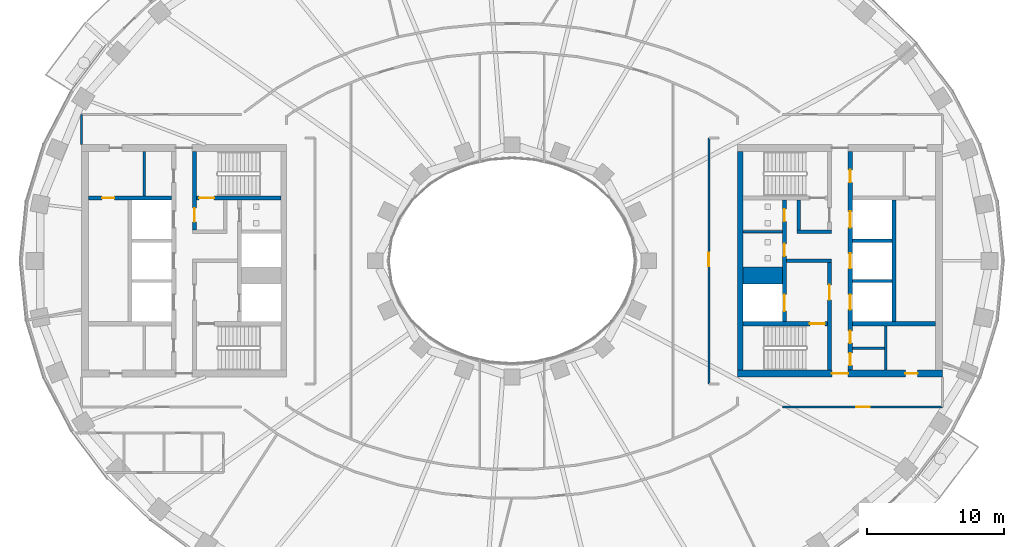
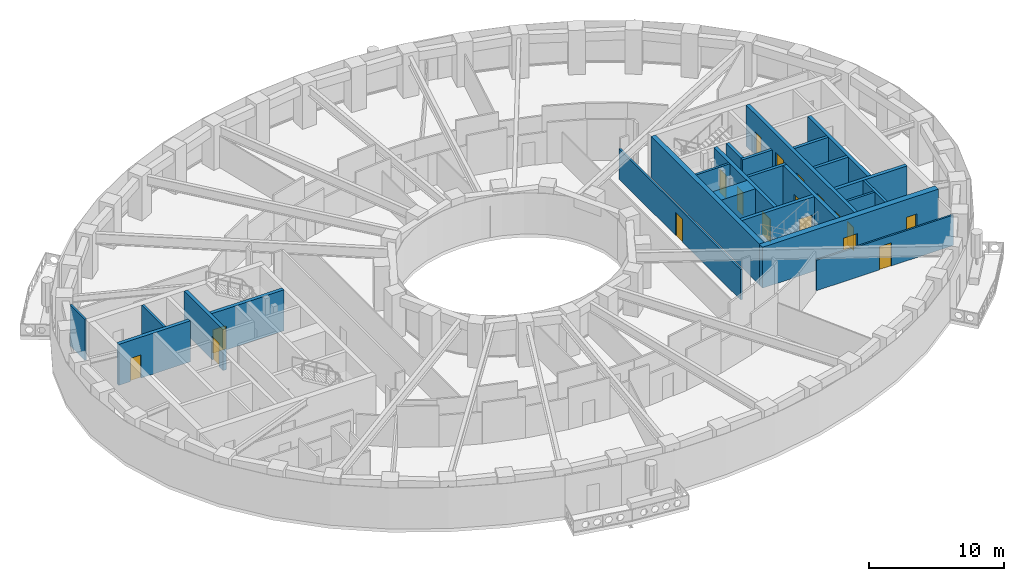
# One storey, part 5 of 16: 24 walls, 18 doors, 18 openings.
"""IFC4 building model written with IfcOpenShell, lengths in metres."""

from ifc_helpers import new_model, si_unit, direction, frame, frame_2d, origin, place, context, subcontext, project, spatial, rectangle, extrude, material, layer, layer_set, type_object, element, fill, save


model = new_model("IFC4")

# Units and contexts
model_context = context("Model", 3, precision=1e-05, world=origin(), true_north=direction((0.0, 1.0)))
body_context = subcontext(model_context, "Body", "Model", "MODEL_VIEW")
ifc_project = project(units=[si_unit("LENGTHUNIT", "METRE"), si_unit("AREAUNIT", "SQUARE_METRE"), si_unit("VOLUMEUNIT", "CUBIC_METRE"), si_unit("PLANEANGLEUNIT", "RADIAN"), si_unit("MASSUNIT", "GRAM", prefix="KILO")], contexts=[model_context])

# Site, building, storey
site_placement = place(None, origin())
site = spatial("IfcSite", under=ifc_project, at=site_placement, CompositionType="ELEMENT")
building_placement = place(site_placement, origin())
building = spatial("IfcBuilding", under=site, at=building_placement, Name="Noorbagh Ring Tower", CompositionType="ELEMENT")
storey_placement = place(building_placement, frame((0.0, 0.0, 136.0)))
storey = spatial("IfcBuildingStorey", under=building, at=storey_placement, Name="L31", CompositionType="ELEMENT", Elevation=136.0)

# Walls
ifc_material_1 = material(Name="Gypsum board on steel studs", Category="steel")
ifc_layer_1 = layer(ifc_material_1, 0.199951171875)
ifc_layer_set_1 = layer_set([ifc_layer_1], Name="Gypsum board on steel studs")
wall_type_1 = type_object("IfcWallType", Name="CORE-PARTITION-200", PredefinedType="PARTITIONING", material=ifc_layer_set_1)
wall_1_placement = place(storey_placement, frame((-26.89990234375, 4.75, 0.0), z_axis=(0.0, 0.0, 1.0), x_axis=(0.0, 1.0, 0.0)))
element("IfcWall", 1, at=wall_1_placement, inside=storey, type_object=wall_type_1, Name="Core partition W", PredefinedType="PARTITIONING", context=body_context, shape_type="SweptSolid", body=[
    extrude(rectangle(XDim=3.25, YDim=0.199951171875, at=frame_2d((1.625, 0.0))), origin(), (0.0, 0.0, 1.0), 3.699951171875),
])
wall_2_placement = place(storey_placement, frame((16.89990234375, 2.125, 0.0), z_axis=(0.0, 0.0, 1.0), x_axis=(1.0, 0.0, 0.0)))
element("IfcWall", 2, at=wall_2_placement, inside=storey, type_object=wall_type_1, Name="Core partition E", PredefinedType="PARTITIONING", context=body_context, shape_type="SweptSolid", body=[
    extrude(rectangle(XDim=2.900146484375, YDim=0.199951171875, at=frame_2d((1.4501953125, 0.0))), origin(), (0.0, 0.0, 1.0), 3.699951171875),
])
wall_3_placement = place(storey_placement, frame((27.35009765625, -8.0, 0.0), z_axis=(0.0, 0.0, 1.0), x_axis=(0.0, 1.0, 0.0)))
element("IfcWall", 3, at=wall_3_placement, inside=storey, type_object=wall_type_1, Name="Core partition E", PredefinedType="PARTITIONING", context=body_context, shape_type="SweptSolid", body=[
    extrude(rectangle(XDim=3.25, YDim=0.199951171875, at=frame_2d((1.625, 0.0))), origin(), (0.0, 0.0, 1.0), 3.699951171875),
])
wall_4_placement = place(storey_placement, frame((24.89990234375, -6.39990234375, 0.0), z_axis=(0.0, 0.0, 1.0), x_axis=(1.0, 0.0, 0.0)))
element("IfcWall", 4, at=wall_4_placement, inside=storey, type_object=wall_type_1, Name="Core partition E", PredefinedType="PARTITIONING", context=body_context, shape_type="SweptSolid", body=[
    extrude(rectangle(XDim=2.35009765625, YDim=0.199951171875, at=frame_2d((1.175048828125, 0.0))), origin(), (0.0, 0.0, 1.0), 3.699951171875),
])
ifc_material_2 = material(Name="Concrete C70/85", Category="concrete")
ifc_layer_2 = layer(ifc_material_2, 1.25)
ifc_layer_set_2 = layer_set([ifc_layer_2], Name="Concrete C70/85")
wall_type_2 = type_object("IfcWallType", Name="CORE-WALL-1250-C70-85-EI120", PredefinedType="SHEAR", material=ifc_layer_set_2)
wall_5_placement = place(storey_placement, frame((16.89990234375, -1.074951171875, 0.0), z_axis=(0.0, 0.0, 1.0), x_axis=(1.0, 0.0, 0.0)))
element("IfcWall", 5, at=wall_5_placement, inside=storey, type_object=wall_type_2, Name="Core wall E", PredefinedType="SHEAR", context=body_context, shape_type="SweptSolid", body=[
    extrude(rectangle(XDim=2.900146484375, YDim=1.25, at=frame_2d((1.4501953125, 0.0))), origin(), (0.0, 0.0, 1.0), 3.699951171875),
])
ifc_material_3 = material(Name="Concrete C70/85", Category="concrete")
ifc_layer_3 = layer(ifc_material_3, 0.25)
ifc_layer_set_3 = layer_set([ifc_layer_3], Name="Concrete C70/85")
wall_type_3 = type_object("IfcWallType", Name="CORE-WALL-250-C70-85-EI120", PredefinedType="SHEAR", material=ifc_layer_set_3)
for number, where, z_axis, x_axis, name in (
    (6, (24.89990234375, -1.47509765625, 0.0), (0.0, 0.0, 1.0), (1.0, 0.0, 0.0), "Core wall E"),
    (7, (24.89990234375, 1.47509765625, 0.0), (0.0, 0.0, 1.0), (1.0, 0.0, 0.0), "Core wall E"),
):
    element("IfcWall", number, at=place(storey_placement, frame(where, z_axis=z_axis, x_axis=x_axis)), inside=storey, type_object=wall_type_3, Name=name, PredefinedType="SHEAR", context=body_context, shape_type="SweptSolid", body=[
        extrude(rectangle(XDim=2.900146484375, YDim=0.25, at=frame_2d((1.4501953125, 0.0))), origin(), (0.0, 0.0, 1.0), 3.699951171875),
    ])
ifc_material_4 = material(Name="Concrete C70/85", Category="concrete")
ifc_layer_4 = layer(ifc_material_4, 0.25)
ifc_layer_set_4 = layer_set([ifc_layer_4], Name="Concrete C70/85")
wall_type_4 = type_object("IfcWallType", Name="CORE-WALL-250-C70-85-EI240", PredefinedType="SHEAR", material=ifc_layer_set_4)
wall_6_placement = place(storey_placement, frame((20.10009765625, 0.0, 0.0), z_axis=(0.0, 0.0, 1.0), x_axis=(1.0, 0.0, 0.0)))
element("IfcWall", 8, at=wall_6_placement, inside=storey, type_object=wall_type_4, Name="Core wall E", PredefinedType="SHEAR", context=body_context, shape_type="SweptSolid", body=[
    extrude(rectangle(XDim=3.27978515625, YDim=0.25, at=frame_2d((1.639892578125, 0.0))), origin(), (0.0, 0.0, 1.0), 3.699951171875),
])
wall_7_placement = place(storey_placement, frame((20.85009765625, 2.125, 0.0), z_axis=(0.0, 0.0, 1.0), x_axis=(1.0, 0.0, 0.0)))
element("IfcWall", 9, at=wall_7_placement, inside=storey, type_object=wall_type_4, Name="Core wall E", PredefinedType="SHEAR", context=body_context, shape_type="SweptSolid", body=[
    extrude(rectangle(XDim=2.52978515625, YDim=0.25, at=frame_2d((1.264892578125, 0.0))), origin(), (0.0, 0.0, 1.0), 3.699951171875),
])
wall_8_placement = place(storey_placement, frame((20.97509765625, 2.25, 0.0), z_axis=(0.0, 0.0, 1.0), x_axis=(0.0, 1.0, 0.0)))
element("IfcWall", 10, at=wall_8_placement, inside=storey, type_object=wall_type_4, Name="Core wall E", PredefinedType="SHEAR", context=body_context, shape_type="SweptSolid", body=[
    extrude(rectangle(XDim=2.199951171875, YDim=0.25, at=frame_2d((1.10009765625, 0.0))), origin(), (0.0, 0.0, 1.0), 3.699951171875),
])
ifc_material_5 = material(Name="Concrete C70/85", Category="concrete")
ifc_layer_5 = layer(ifc_material_5, 0.300048828125)
ifc_layer_set_5 = layer_set([ifc_layer_5], Name="Concrete C70/85")
wall_type_5 = type_object("IfcWallType", Name="CORE-WALL-300-C70-85-EI120", PredefinedType="SHEAR", material=ifc_layer_set_5)
wall_9_placement = place(storey_placement, frame((27.949951171875, -4.449951171875, 0.0), z_axis=(0.0, 0.0, 1.0), x_axis=(0.0, 1.0, 0.0)))
element("IfcWall", 11, at=wall_9_placement, inside=storey, type_object=wall_type_5, Name="Core wall E", PredefinedType="SHEAR", context=body_context, shape_type="SweptSolid", body=[
    extrude(rectangle(XDim=8.89990234375, YDim=0.300048828125, at=frame_2d((4.449951171875, 0.0))), origin(), (0.0, 0.0, 1.0), 3.699951171875),
])

# Wall, openings, doors
wall_10_placement = place(storey_placement, frame((19.949951171875, -4.449951171875, 0.0), z_axis=(0.0, 0.0, 1.0), x_axis=(0.0, 1.0, 0.0)))
wall_10 = element("IfcWall", 12, at=wall_10_placement, inside=storey, type_object=wall_type_5, Name="Core wall E", PredefinedType="SHEAR", context=body_context, shape_type="SweptSolid", body=[
    extrude(rectangle(XDim=8.89990234375, YDim=0.300048828125, at=frame_2d((4.449951171875, 0.0))), origin(), (0.0, 0.0, 1.0), 3.699951171875),
])
opening_1_placement = place(wall_10_placement, frame((0.77490234375, 0.0, 0.0)))
opening_1 = element("IfcOpeningElement", 13, at=opening_1_placement, cuts=wall_10, Name="Opening L31-CE01", PredefinedType="OPENING", context=body_context, shape_type="SweptSolid", body=[
    extrude(rectangle(XDim=1.199951171875, YDim=2.10009765625, at=frame_2d((0.60009765625, 1.050048828125))), frame((0.0, 0.16015625, 0.0), z_axis=(0.0, -1.0, 0.0), x_axis=(1.0, 0.0, 0.0)), (0.0, 0.0, 1.0), 0.320068359375),
])
opening_2_placement = place(wall_10_placement, frame((4.78759765625, 0.0, 0.0)))
opening_2 = element("IfcOpeningElement", 14, at=opening_2_placement, cuts=wall_10, Name="Opening L31-CE11", PredefinedType="OPENING", context=body_context, shape_type="SweptSolid", body=[
    extrude(rectangle(XDim=0.89990234375, YDim=2.10009765625, at=frame_2d((0.449951171875, 1.050048828125))), frame((0.0, 0.16015625, 0.0), z_axis=(0.0, -1.0, 0.0), x_axis=(1.0, 0.0, 0.0)), (0.0, 0.0, 1.0), 0.320068359375),
])
opening_3_placement = place(wall_10_placement, frame((7.33740234375, 0.0, 0.0)))
opening_3 = element("IfcOpeningElement", 15, at=opening_3_placement, cuts=wall_10, Name="Opening L31-CE12", PredefinedType="OPENING", context=body_context, shape_type="SweptSolid", body=[
    extrude(rectangle(XDim=0.89990234375, YDim=2.10009765625, at=frame_2d((0.449951171875, 1.050048828125))), frame((0.0, 0.16015625, 0.0), z_axis=(0.0, -1.0, 0.0), x_axis=(1.0, 0.0, 0.0)), (0.0, 0.0, 1.0), 0.320068359375),
])
ifc_material_6 = material(Name="Steel door leaf", Category="steel")
door_type_1 = type_object("IfcDoorType", Name="CORE-DOOR-DROOM", OperationType="SINGLE_SWING_LEFT", PredefinedType="DOOR", material=ifc_material_6)
door_1_placement = place(opening_2_placement, origin())
door_1 = element("IfcDoor", 16, at=door_1_placement, inside=storey, type_object=door_type_1, Name="Core room door L31-CE11", OperationType="SINGLE_SWING_RIGHT", OverallHeight=2.10009765625, OverallWidth=0.89990234375, PredefinedType="DOOR", context=body_context, shape_type="SweptSolid", body=[
    extrude(rectangle(XDim=0.89990234375, YDim=2.10009765625, at=frame_2d((0.449951171875, 1.050048828125))), frame((0.0, 0.02490234375, 0.0), z_axis=(0.0, -1.0, 0.0), x_axis=(1.0, 0.0, 0.0)), (0.0, 0.0, 1.0), 0.050048828125),
])
fill(opening_2, door_1)
door_2_placement = place(opening_3_placement, origin())
door_2 = element("IfcDoor", 17, at=door_2_placement, inside=storey, type_object=door_type_1, Name="Core room door L31-CE12", OperationType="SINGLE_SWING_RIGHT", OverallHeight=2.10009765625, OverallWidth=0.89990234375, PredefinedType="DOOR", context=body_context, shape_type="SweptSolid", body=[
    extrude(rectangle(XDim=0.89990234375, YDim=2.10009765625, at=frame_2d((0.449951171875, 1.050048828125))), frame((0.0, 0.02490234375, 0.0), z_axis=(0.0, -1.0, 0.0), x_axis=(1.0, 0.0, 0.0)), (0.0, 0.0, 1.0), 0.050048828125),
])
fill(opening_3, door_2)
ifc_material_7 = material(Name="Steel door leaf", Category="steel")
door_type_2 = type_object("IfcDoorType", Name="CORE-DOOR-LDW", OperationType="DOUBLE_DOOR_SLIDING", PredefinedType="DOOR", material=ifc_material_7)
door_3_placement = place(opening_1_placement, origin())
door_3 = element("IfcDoor", 18, at=door_3_placement, inside=storey, type_object=door_type_2, Name="Landing door FF2 L31-CE01", OperationType="DOUBLE_DOOR_SLIDING", OverallHeight=2.10009765625, OverallWidth=1.199951171875, PredefinedType="DOOR", context=body_context, shape_type="SweptSolid", body=[
    extrude(rectangle(XDim=1.199951171875, YDim=2.10009765625, at=frame_2d((0.60009765625, 1.050048828125))), frame((0.0, 0.02490234375, 0.0), z_axis=(0.0, -1.0, 0.0), x_axis=(1.0, 0.0, 0.0)), (0.0, 0.0, 1.0), 0.050048828125),
])
fill(opening_1, door_3)

wall_11_placement = place(storey_placement, frame((24.75, -8.0, 0.0), z_axis=(0.0, 0.0, 1.0), x_axis=(0.0, 1.0, 0.0)))
wall_11 = element("IfcWall", 19, at=wall_11_placement, inside=storey, type_object=wall_type_5, Name="Core wall E", PredefinedType="SHEAR", context=body_context, shape_type="SweptSolid", body=[
    extrude(rectangle(XDim=16.0, YDim=0.300048828125, at=frame_2d((8.0, 0.0))), origin(), (0.0, 0.0, 1.0), 3.699951171875),
])
opening_4_placement = place(wall_11_placement, frame((4.425048828125, 0.0, 0.0)))
opening_4 = element("IfcOpeningElement", 20, at=opening_4_placement, cuts=wall_11, Name="Opening L31-CE02", PredefinedType="OPENING", context=body_context, shape_type="SweptSolid", body=[
    extrude(rectangle(XDim=1.10009765625, YDim=2.10009765625, at=frame_2d((0.550048828125, 1.050048828125))), frame((0.0, 0.16015625, 0.0), z_axis=(0.0, -1.0, 0.0), x_axis=(1.0, 0.0, 0.0)), (0.0, 0.0, 1.0), 0.320068359375),
])
opening_5_placement = place(wall_11_placement, frame((7.449951171875, 0.0, 0.0)))
opening_5 = element("IfcOpeningElement", 21, at=opening_5_placement, cuts=wall_11, Name="Opening L31-CE03", PredefinedType="OPENING", context=body_context, shape_type="SweptSolid", body=[
    extrude(rectangle(XDim=1.10009765625, YDim=2.10009765625, at=frame_2d((0.550048828125, 1.050048828125))), frame((0.0, 0.16015625, 0.0), z_axis=(0.0, -1.0, 0.0), x_axis=(1.0, 0.0, 0.0)), (0.0, 0.0, 1.0), 0.320068359375),
])
opening_6_placement = place(wall_11_placement, frame((10.425048828125, 0.0, 0.0)))
opening_6 = element("IfcOpeningElement", 22, at=opening_6_placement, cuts=wall_11, Name="Opening L31-CE04", PredefinedType="OPENING", context=body_context, shape_type="SweptSolid", body=[
    extrude(rectangle(XDim=1.199951171875, YDim=2.10009765625, at=frame_2d((0.60009765625, 1.050048828125))), frame((0.0, 0.16015625, 0.0), z_axis=(0.0, -1.0, 0.0), x_axis=(1.0, 0.0, 0.0)), (0.0, 0.0, 1.0), 0.320068359375),
])
opening_7_placement = place(wall_11_placement, frame((13.75, 0.0, 0.0)))
opening_7 = element("IfcOpeningElement", 23, at=opening_7_placement, cuts=wall_11, Name="Opening L31-CE13", PredefinedType="OPENING", context=body_context, shape_type="SweptSolid", body=[
    extrude(rectangle(XDim=0.89990234375, YDim=2.10009765625, at=frame_2d((0.449951171875, 1.050048828125))), frame((0.0, 0.16015625, 0.0), z_axis=(0.0, -1.0, 0.0), x_axis=(1.0, 0.0, 0.0)), (0.0, 0.0, 1.0), 0.320068359375),
])
opening_8_placement = place(wall_11_placement, frame((1.97509765625, 0.0, 0.0)))
opening_8 = element("IfcOpeningElement", 24, at=opening_8_placement, cuts=wall_11, Name="Opening L31-CE15", PredefinedType="OPENING", context=body_context, shape_type="SweptSolid", body=[
    extrude(rectangle(XDim=0.89990234375, YDim=2.10009765625, at=frame_2d((0.449951171875, 1.050048828125))), frame((0.0, 0.16015625, 0.0), z_axis=(0.0, -1.0, 0.0), x_axis=(1.0, 0.0, 0.0)), (0.0, 0.0, 1.0), 0.320068359375),
])
opening_9_placement = place(wall_11_placement, frame((0.35009765625, 0.0, 0.0)))
opening_9 = element("IfcOpeningElement", 25, at=opening_9_placement, cuts=wall_11, Name="Opening L31-CE16", PredefinedType="OPENING", context=body_context, shape_type="SweptSolid", body=[
    extrude(rectangle(XDim=0.89990234375, YDim=2.10009765625, at=frame_2d((0.449951171875, 1.050048828125))), frame((0.0, 0.16015625, 0.0), z_axis=(0.0, -1.0, 0.0), x_axis=(1.0, 0.0, 0.0)), (0.0, 0.0, 1.0), 0.320068359375),
])
door_4_placement = place(opening_7_placement, origin())
door_4 = element("IfcDoor", 26, at=door_4_placement, inside=storey, type_object=door_type_1, Name="Core room door L31-CE13", OperationType="SINGLE_SWING_LEFT", OverallHeight=2.10009765625, OverallWidth=0.89990234375, PredefinedType="DOOR", context=body_context, shape_type="SweptSolid", body=[
    extrude(rectangle(XDim=0.89990234375, YDim=2.10009765625, at=frame_2d((0.449951171875, 1.050048828125))), frame((0.0, 0.02490234375, 0.0), z_axis=(0.0, -1.0, 0.0), x_axis=(1.0, 0.0, 0.0)), (0.0, 0.0, 1.0), 0.050048828125),
])
fill(opening_7, door_4)
door_5_placement = place(opening_8_placement, origin())
door_5 = element("IfcDoor", 27, at=door_5_placement, inside=storey, type_object=door_type_1, Name="Core room door L31-CE15", OperationType="SINGLE_SWING_LEFT", OverallHeight=2.10009765625, OverallWidth=0.89990234375, PredefinedType="DOOR", context=body_context, shape_type="SweptSolid", body=[
    extrude(rectangle(XDim=0.89990234375, YDim=2.10009765625, at=frame_2d((0.449951171875, 1.050048828125))), frame((0.0, 0.02490234375, 0.0), z_axis=(0.0, -1.0, 0.0), x_axis=(1.0, 0.0, 0.0)), (0.0, 0.0, 1.0), 0.050048828125),
])
fill(opening_8, door_5)
door_6_placement = place(opening_9_placement, origin())
door_6 = element("IfcDoor", 28, at=door_6_placement, inside=storey, type_object=door_type_1, Name="Core room door L31-CE16", OperationType="SINGLE_SWING_RIGHT", OverallHeight=2.10009765625, OverallWidth=0.89990234375, PredefinedType="DOOR", context=body_context, shape_type="SweptSolid", body=[
    extrude(rectangle(XDim=0.89990234375, YDim=2.10009765625, at=frame_2d((0.449951171875, 1.050048828125))), frame((0.0, 0.02490234375, 0.0), z_axis=(0.0, -1.0, 0.0), x_axis=(1.0, 0.0, 0.0)), (0.0, 0.0, 1.0), 0.050048828125),
])
fill(opening_9, door_6)
ifc_material_8 = material(Name="Steel door leaf", Category="steel")
door_type_3 = type_object("IfcDoorType", Name="CORE-DOOR-LD", OperationType="DOUBLE_DOOR_SLIDING", PredefinedType="DOOR", material=ifc_material_8)
door_7_placement = place(opening_4_placement, origin())
door_7 = element("IfcDoor", 29, at=door_7_placement, inside=storey, type_object=door_type_3, Name="Landing door LR3 L31-CE02", OperationType="DOUBLE_DOOR_SLIDING", OverallHeight=2.10009765625, OverallWidth=1.10009765625, PredefinedType="DOOR", context=body_context, shape_type="SweptSolid", body=[
    extrude(rectangle(XDim=1.10009765625, YDim=2.10009765625, at=frame_2d((0.550048828125, 1.050048828125))), frame((0.0, 0.02490234375, 0.0), z_axis=(0.0, -1.0, 0.0), x_axis=(1.0, 0.0, 0.0)), (0.0, 0.0, 1.0), 0.050048828125),
])
fill(opening_4, door_7)
door_8_placement = place(opening_5_placement, origin())
door_8 = element("IfcDoor", 30, at=door_8_placement, inside=storey, type_object=door_type_3, Name="Landing door LR4 L31-CE03", OperationType="DOUBLE_DOOR_SLIDING", OverallHeight=2.10009765625, OverallWidth=1.10009765625, PredefinedType="DOOR", context=body_context, shape_type="SweptSolid", body=[
    extrude(rectangle(XDim=1.10009765625, YDim=2.10009765625, at=frame_2d((0.550048828125, 1.050048828125))), frame((0.0, 0.02490234375, 0.0), z_axis=(0.0, -1.0, 0.0), x_axis=(1.0, 0.0, 0.0)), (0.0, 0.0, 1.0), 0.050048828125),
])
fill(opening_5, door_8)
door_9_placement = place(opening_6_placement, origin())
door_9 = element("IfcDoor", 31, at=door_9_placement, inside=storey, type_object=door_type_2, Name="Landing door SV2 L31-CE04", OperationType="DOUBLE_DOOR_SLIDING", OverallHeight=2.10009765625, OverallWidth=1.199951171875, PredefinedType="DOOR", context=body_context, shape_type="SweptSolid", body=[
    extrude(rectangle(XDim=1.199951171875, YDim=2.10009765625, at=frame_2d((0.60009765625, 1.050048828125))), frame((0.0, 0.02490234375, 0.0), z_axis=(0.0, -1.0, 0.0), x_axis=(1.0, 0.0, 0.0)), (0.0, 0.0, 1.0), 0.050048828125),
])
fill(opening_6, door_9)

# Wall, opening, door
ifc_material_9 = material(Name="Concrete C70/85", Category="concrete")
ifc_layer_6 = layer(ifc_material_9, 0.300048828125)
ifc_layer_set_6 = layer_set([ifc_layer_6], Name="Concrete C70/85")
wall_type_6 = type_object("IfcWallType", Name="CORE-WALL-300-C70-85-EI240", PredefinedType="SHEAR", material=ifc_layer_set_6)
wall_12_placement = place(storey_placement, frame((-24.89990234375, 4.60009765625, 0.0), z_axis=(0.0, 0.0, 1.0), x_axis=(-1.0, 0.0, 0.0)))
wall_12 = element("IfcWall", 32, at=wall_12_placement, inside=storey, type_object=wall_type_6, Name="Core wall W", PredefinedType="SHEAR", context=body_context, shape_type="SweptSolid", body=[
    extrude(rectangle(XDim=6.10009765625, YDim=0.300048828125, at=frame_2d((3.050048828125, 0.0))), origin(), (0.0, 0.0, 1.0), 3.699951171875),
])
opening_10_placement = place(wall_12_placement, frame((4.199951171875, 0.0, 0.0)))
opening_10 = element("IfcOpeningElement", 33, at=opening_10_placement, cuts=wall_12, Name="Opening L31-CW16", PredefinedType="OPENING", context=body_context, shape_type="SweptSolid", body=[
    extrude(rectangle(XDim=0.89990234375, YDim=2.10009765625, at=frame_2d((0.449951171875, 1.050048828125))), frame((0.0, 0.16015625, 0.0), z_axis=(0.0, -1.0, 0.0), x_axis=(1.0, 0.0, 0.0)), (0.0, 0.0, 1.0), 0.320068359375),
])
door_10_placement = place(opening_10_placement, origin())
door_10 = element("IfcDoor", 34, at=door_10_placement, inside=storey, type_object=door_type_1, Name="Core room door L31-CW16", OperationType="SINGLE_SWING_LEFT", OverallHeight=2.10009765625, OverallWidth=0.89990234375, PredefinedType="DOOR", context=body_context, shape_type="SweptSolid", body=[
    extrude(rectangle(XDim=0.89990234375, YDim=2.10009765625, at=frame_2d((0.449951171875, 1.050048828125))), frame((0.0, 0.02490234375, 0.0), z_axis=(0.0, -1.0, 0.0), x_axis=(1.0, 0.0, 0.0)), (0.0, 0.0, 1.0), 0.050048828125),
])
fill(opening_10, door_10)

wall_13_placement = place(storey_placement, frame((-23.22998046875, 2.25, 0.0), z_axis=(0.0, 0.0, 1.0), x_axis=(0.0, 1.0, 0.0)))
wall_13 = element("IfcWall", 35, at=wall_13_placement, inside=storey, type_object=wall_type_6, Name="Core wall W", PredefinedType="SHEAR", context=body_context, shape_type="SweptSolid", body=[
    extrude(rectangle(XDim=5.75, YDim=0.300048828125, at=frame_2d((2.875, 0.0))), origin(), (0.0, 0.0, 1.0), 3.699951171875),
])
opening_11_placement = place(wall_13_placement, frame((0.60009765625, 0.0, 0.0)))
opening_11 = element("IfcOpeningElement", 36, at=opening_11_placement, cuts=wall_13, Name="Opening L31-CW08", PredefinedType="OPENING", context=body_context, shape_type="SweptSolid", body=[
    extrude(rectangle(XDim=1.0, YDim=2.10009765625, at=frame_2d((0.5, 1.050048828125))), frame((0.0, 0.16015625, 0.0), z_axis=(0.0, -1.0, 0.0), x_axis=(1.0, 0.0, 0.0)), (0.0, 0.0, 1.0), 0.320068359375),
])
ifc_material_10 = material(Name="Steel door leaf", Category="steel")
door_type_4 = type_object("IfcDoorType", Name="CORE-DOOR-DVEST", OperationType="SINGLE_SWING_LEFT", PredefinedType="DOOR", material=ifc_material_10)
door_11_placement = place(opening_11_placement, origin())
door_11 = element("IfcDoor", 37, at=door_11_placement, inside=storey, type_object=door_type_4, Name="Stair vestibule door L31-CW08", OperationType="SINGLE_SWING_LEFT", OverallHeight=2.10009765625, OverallWidth=1.0, PredefinedType="DOOR", context=body_context, shape_type="SweptSolid", body=[
    extrude(rectangle(XDim=1.0, YDim=2.10009765625, at=frame_2d((0.5, 1.050048828125))), frame((0.0, 0.02490234375, 0.0), z_axis=(0.0, -1.0, 0.0), x_axis=(1.0, 0.0, 0.0)), (0.0, 0.0, 1.0), 0.050048828125),
])
fill(opening_11, door_11)

wall_14_placement = place(storey_placement, frame((-16.89990234375, 4.60009765625, 0.0), z_axis=(0.0, 0.0, 1.0), x_axis=(-1.0, 0.0, 0.0)))
wall_14 = element("IfcWall", 38, at=wall_14_placement, inside=storey, type_object=wall_type_6, Name="Core wall W", PredefinedType="SHEAR", context=body_context, shape_type="SweptSolid", body=[
    extrude(rectangle(XDim=6.18017578125, YDim=0.300048828125, at=frame_2d((3.090087890625, 0.0))), origin(), (0.0, 0.0, 1.0), 3.699951171875),
])
opening_12_placement = place(wall_14_placement, frame((4.89990234375, 0.0, 0.0)))
opening_12 = element("IfcOpeningElement", 39, at=opening_12_placement, cuts=wall_14, Name="Opening L31-CW05", PredefinedType="OPENING", context=body_context, shape_type="SweptSolid", body=[
    extrude(rectangle(XDim=1.10009765625, YDim=2.10009765625, at=frame_2d((0.550048828125, 1.050048828125))), frame((0.0, 0.16015625, 0.0), z_axis=(0.0, -1.0, 0.0), x_axis=(1.0, 0.0, 0.0)), (0.0, 0.0, 1.0), 0.320068359375),
])
ifc_material_11 = material(Name="Steel door leaf", Category="steel")
door_type_5 = type_object("IfcDoorType", Name="CORE-DOOR-DSTAIR", OperationType="SINGLE_SWING_LEFT", PredefinedType="DOOR", material=ifc_material_11)
door_12_placement = place(opening_12_placement, origin())
door_12 = element("IfcDoor", 40, at=door_12_placement, inside=storey, type_object=door_type_5, Name="Stair door ST1 L31-CW05", OperationType="SINGLE_SWING_RIGHT", OverallHeight=2.10009765625, OverallWidth=1.10009765625, PredefinedType="DOOR", context=body_context, shape_type="SweptSolid", body=[
    extrude(rectangle(XDim=1.10009765625, YDim=2.10009765625, at=frame_2d((0.550048828125, 1.050048828125))), frame((0.0, 0.02490234375, 0.0), z_axis=(0.0, -1.0, 0.0), x_axis=(1.0, 0.0, 0.0)), (0.0, 0.0, 1.0), 0.050048828125),
])
fill(opening_12, door_12)

# Wall
wall_15_placement = place(storey_placement, frame((24.89990234375, -4.60009765625, 0.0), z_axis=(0.0, 0.0, 1.0), x_axis=(1.0, 0.0, 0.0)))
element("IfcWall", 41, at=wall_15_placement, inside=storey, type_object=wall_type_6, Name="Core wall E", PredefinedType="SHEAR", context=body_context, shape_type="SweptSolid", body=[
    extrude(rectangle(XDim=6.10009765625, YDim=0.300048828125, at=frame_2d((3.050048828125, 0.0))), origin(), (0.0, 0.0, 1.0), 3.699951171875),
])

# Wall, opening, door
wall_16_placement = place(storey_placement, frame((23.22998046875, -8.0, 0.0), z_axis=(0.0, 0.0, 1.0), x_axis=(0.0, 1.0, 0.0)))
wall_16 = element("IfcWall", 42, at=wall_16_placement, inside=storey, type_object=wall_type_6, Name="Core wall E", PredefinedType="SHEAR", context=body_context, shape_type="SweptSolid", body=[
    extrude(rectangle(XDim=7.875, YDim=0.300048828125, at=frame_2d((3.9375, 0.0))), origin(), (0.0, 0.0, 1.0), 3.699951171875),
])
opening_13_placement = place(wall_16_placement, frame((5.14990234375, 0.0, 0.0)))
opening_13 = element("IfcOpeningElement", 43, at=opening_13_placement, cuts=wall_16, Name="Opening L31-CE07", PredefinedType="OPENING", context=body_context, shape_type="SweptSolid", body=[
    extrude(rectangle(XDim=1.10009765625, YDim=2.10009765625, at=frame_2d((0.550048828125, 1.050048828125))), frame((0.0, 0.16015625, 0.0), z_axis=(0.0, -1.0, 0.0), x_axis=(1.0, 0.0, 0.0)), (0.0, 0.0, 1.0), 0.320068359375),
])
ifc_material_12 = material(Name="Steel door leaf", Category="steel")
door_type_6 = type_object("IfcDoorType", Name="CORE-DOOR-DFF", OperationType="SINGLE_SWING_LEFT", PredefinedType="DOOR", material=ifc_material_12)
door_13_placement = place(opening_13_placement, origin())
door_13 = element("IfcDoor", 44, at=door_13_placement, inside=storey, type_object=door_type_6, Name="Firefighting lobby door L31-CE07", OperationType="SINGLE_SWING_RIGHT", OverallHeight=2.10009765625, OverallWidth=1.10009765625, PredefinedType="DOOR", context=body_context, shape_type="SweptSolid", body=[
    extrude(rectangle(XDim=1.10009765625, YDim=2.10009765625, at=frame_2d((0.550048828125, 1.050048828125))), frame((0.0, 0.02490234375, 0.0), z_axis=(0.0, -1.0, 0.0), x_axis=(1.0, 0.0, 0.0)), (0.0, 0.0, 1.0), 0.050048828125),
])
fill(opening_13, door_13)

wall_17_placement = place(storey_placement, frame((16.89990234375, -4.60009765625, 0.0), z_axis=(0.0, 0.0, 1.0), x_axis=(1.0, 0.0, 0.0)))
wall_17 = element("IfcWall", 45, at=wall_17_placement, inside=storey, type_object=wall_type_6, Name="Core wall E", PredefinedType="SHEAR", context=body_context, shape_type="SweptSolid", body=[
    extrude(rectangle(XDim=6.18017578125, YDim=0.300048828125, at=frame_2d((3.090087890625, 0.0))), origin(), (0.0, 0.0, 1.0), 3.699951171875),
])
opening_14_placement = place(wall_17_placement, frame((4.89990234375, 0.0, 0.0)))
opening_14 = element("IfcOpeningElement", 46, at=opening_14_placement, cuts=wall_17, Name="Opening L31-CE06", PredefinedType="OPENING", context=body_context, shape_type="SweptSolid", body=[
    extrude(rectangle(XDim=1.10009765625, YDim=2.10009765625, at=frame_2d((0.550048828125, 1.050048828125))), frame((0.0, 0.16015625, 0.0), z_axis=(0.0, -1.0, 0.0), x_axis=(1.0, 0.0, 0.0)), (0.0, 0.0, 1.0), 0.320068359375),
])
door_14_placement = place(opening_14_placement, origin())
door_14 = element("IfcDoor", 47, at=door_14_placement, inside=storey, type_object=door_type_5, Name="Stair door ST4 L31-CE06", OperationType="SINGLE_SWING_RIGHT", OverallHeight=2.10009765625, OverallWidth=1.10009765625, PredefinedType="DOOR", context=body_context, shape_type="SweptSolid", body=[
    extrude(rectangle(XDim=1.10009765625, YDim=2.10009765625, at=frame_2d((0.550048828125, 1.050048828125))), frame((0.0, 0.02490234375, 0.0), z_axis=(0.0, -1.0, 0.0), x_axis=(1.0, 0.0, 0.0)), (0.0, 0.0, 1.0), 0.050048828125),
])
fill(opening_14, door_14)

# Wall
ifc_material_13 = material(Name="Concrete C70/85", Category="concrete")
ifc_layer_7 = layer(ifc_material_13, 0.39990234375)
ifc_layer_set_7 = layer_set([ifc_layer_7], Name="Concrete C70/85")
wall_type_7 = type_object("IfcWallType", Name="CORE-WALL-400-C70-85-EI240", PredefinedType="SHEAR", material=ifc_layer_set_7)
wall_18_placement = place(storey_placement, frame((16.699951171875, -8.0, 0.0), z_axis=(0.0, 0.0, 1.0), x_axis=(0.0, 1.0, 0.0)))
element("IfcWall", 48, at=wall_18_placement, inside=storey, type_object=wall_type_7, Name="Core wall E", PredefinedType="SHEAR", context=body_context, shape_type="SweptSolid", body=[
    extrude(rectangle(XDim=16.0, YDim=0.39990234375, at=frame_2d((8.0, 0.0))), origin(), (0.0, 0.0, 1.0), 3.699951171875),
])

# Wall, openings, doors
ifc_material_14 = material(Name="Concrete C70/85", Category="concrete")
ifc_layer_8 = layer(ifc_material_14, 0.5)
ifc_layer_set_8 = layer_set([ifc_layer_8], Name="Concrete C70/85")
wall_type_8 = type_object("IfcWallType", Name="CORE-WALL-500-C70-85-EI240", PredefinedType="SHEAR", material=ifc_layer_set_8)
wall_19_placement = place(storey_placement, frame((16.5, -8.25, 0.0), z_axis=(0.0, 0.0, 1.0), x_axis=(1.0, 0.0, 0.0)))
wall_19 = element("IfcWall", 49, at=wall_19_placement, inside=storey, type_object=wall_type_8, Name="Core wall E", PredefinedType="SHEAR", context=body_context, shape_type="SweptSolid", body=[
    extrude(rectangle(XDim=15.0, YDim=0.5, at=frame_2d((7.5, 0.0))), origin(), (0.0, 0.0, 1.0), 3.699951171875),
])
opening_15_placement = place(wall_19_placement, frame((6.89990234375, 0.0, 0.0)))
opening_15 = element("IfcOpeningElement", 50, at=opening_15_placement, cuts=wall_19, Name="Opening L31-CE10", PredefinedType="OPENING", context=body_context, shape_type="SweptSolid", body=[
    extrude(rectangle(XDim=1.199951171875, YDim=2.10009765625, at=frame_2d((0.60009765625, 1.050048828125))), frame((0.0, 0.260009765625, 0.0), z_axis=(0.0, -1.0, 0.0), x_axis=(1.0, 0.0, 0.0)), (0.0, 0.0, 1.0), 0.52001953125),
])
opening_16_placement = place(wall_19_placement, frame((12.27490234375, 0.0, 0.0)))
opening_16 = element("IfcOpeningElement", 51, at=opening_16_placement, cuts=wall_19, Name="Opening L31-CE17", PredefinedType="OPENING", context=body_context, shape_type="SweptSolid", body=[
    extrude(rectangle(XDim=0.89990234375, YDim=2.10009765625, at=frame_2d((0.449951171875, 1.050048828125))), frame((0.0, 0.260009765625, 0.0), z_axis=(0.0, -1.0, 0.0), x_axis=(1.0, 0.0, 0.0)), (0.0, 0.0, 1.0), 0.52001953125),
])
door_15_placement = place(opening_16_placement, origin())
door_15 = element("IfcDoor", 52, at=door_15_placement, inside=storey, type_object=door_type_1, Name="Core room door L31-CE17", OperationType="SINGLE_SWING_RIGHT", OverallHeight=2.10009765625, OverallWidth=0.89990234375, PredefinedType="DOOR", context=body_context, shape_type="SweptSolid", body=[
    extrude(rectangle(XDim=0.89990234375, YDim=2.10009765625, at=frame_2d((0.449951171875, 1.050048828125))), frame((0.0, 0.02490234375, 0.0), z_axis=(0.0, -1.0, 0.0), x_axis=(1.0, 0.0, 0.0)), (0.0, 0.0, 1.0), 0.050048828125),
])
fill(opening_16, door_15)
ifc_material_15 = material(Name="Steel door leaf", Category="steel")
door_type_7 = type_object("IfcDoorType", Name="CORE-DOOR-PORT", OperationType="DOUBLE_DOOR_DOUBLE_SWING", PredefinedType="DOOR", material=ifc_material_15)
door_16_placement = place(opening_15_placement, origin())
door_16 = element("IfcDoor", 53, at=door_16_placement, inside=storey, type_object=door_type_7, Name="Core entrance door L31-CE10", OperationType="DOUBLE_DOOR_DOUBLE_SWING", OverallHeight=2.10009765625, OverallWidth=1.199951171875, PredefinedType="DOOR", context=body_context, shape_type="SweptSolid", body=[
    extrude(rectangle(XDim=1.199951171875, YDim=2.10009765625, at=frame_2d((0.60009765625, 1.050048828125))), frame((0.0, 0.02490234375, 0.0), z_axis=(0.0, -1.0, 0.0), x_axis=(1.0, 0.0, 0.0)), (0.0, 0.0, 1.0), 0.050048828125),
])
fill(opening_15, door_16)

# Wall
ifc_material_16 = material(Name="Gypsum board on steel studs", Category="steel")
ifc_layer_9 = layer(ifc_material_16, 0.14990234375)
ifc_layer_set_9 = layer_set([ifc_layer_9], Name="Gypsum board on steel studs")
wall_type_9 = type_object("IfcWallType", Name="CORRIDOR PARTITION 150 EI 30", PredefinedType="PARTITIONING", material=ifc_layer_set_9)
wall_20_placement = place(storey_placement, frame((-31.5, 8.5, 0.0), z_axis=(0.0, 0.0, 1.0), x_axis=(0.0, 1.0, 0.0)))
element("IfcWall", 54, at=wall_20_placement, inside=storey, type_object=wall_type_9, Name="L31/wall/P05", PredefinedType="PARTITIONING", context=body_context, shape_type="SweptSolid", body=[
    extrude(rectangle(XDim=2.199951171875, YDim=0.14990234375, at=frame_2d((1.10009765625, 0.0))), origin(), (0.0, 0.0, 1.0), 3.699951171875),
])

# Wall, opening, door
wall_21_placement = place(storey_placement, frame((14.39990234375, -9.0, 0.0), z_axis=(0.0, 0.0, 1.0), x_axis=(0.0, 1.0, 0.0)))
wall_21 = element("IfcWall", 55, at=wall_21_placement, inside=storey, type_object=wall_type_9, Name="L31/wall/P78", PredefinedType="PARTITIONING", context=body_context, shape_type="SweptSolid", body=[
    extrude(rectangle(XDim=18.0, YDim=0.14990234375, at=frame_2d((9.0, 0.0))), origin(), (0.0, 0.0, 1.0), 2.75),
])
opening_17_placement = place(wall_21_placement, frame((8.60009765625, 0.0, 0.0)))
opening_17 = element("IfcOpeningElement", 56, at=opening_17_placement, cuts=wall_21, Name="Opening D1", PredefinedType="OPENING", context=body_context, shape_type="SweptSolid", body=[
    extrude(rectangle(XDim=1.0, YDim=2.10009765625, at=frame_2d((0.5, 1.050048828125))), frame((0.0, 0.0849609375, 0.0), z_axis=(0.0, -1.0, 0.0), x_axis=(1.0, 0.0, 0.0)), (0.0, 0.0, 1.0), 0.169921875),
])
ifc_material_17 = material(Name="Timber, painted", Category="wood")
door_type_8 = type_object("IfcDoorType", Name="DOOR 1000 X 2100 FD30", OperationType="SINGLE_SWING_LEFT", PredefinedType="DOOR", material=ifc_material_17)
door_17_placement = place(opening_17_placement, origin())
door_17 = element("IfcDoor", 57, at=door_17_placement, inside=storey, type_object=door_type_8, Name="L31-D19", OperationType="SINGLE_SWING_LEFT", OverallHeight=2.10009765625, OverallWidth=1.0, PredefinedType="DOOR", context=body_context, shape_type="SweptSolid", body=[
    extrude(rectangle(XDim=1.0, YDim=2.10009765625, at=frame_2d((0.5, 1.050048828125))), frame((0.0, 0.02490234375, 0.0), z_axis=(0.0, -1.0, 0.0), x_axis=(1.0, 0.0, 0.0)), (0.0, 0.0, 1.0), 0.050048828125),
])
fill(opening_17, door_17)

wall_22_placement = place(storey_placement, frame((19.777099609375, -10.699951171875, 0.0), z_axis=(0.0, 0.0, 1.0), x_axis=(1.0, 0.0, 0.0)))
wall_22 = element("IfcWall", 58, at=wall_22_placement, inside=storey, type_object=wall_type_9, Name="L31/wall/P90", PredefinedType="PARTITIONING", context=body_context, shape_type="SweptSolid", body=[
    extrude(rectangle(XDim=11.722900390625, YDim=0.14990234375, at=frame_2d((5.861328125, 0.0))), origin(), (0.0, 0.0, 1.0), 2.75),
])
opening_18_placement = place(wall_22_placement, frame((5.39990234375, 0.0, 0.0)))
opening_18 = element("IfcOpeningElement", 59, at=opening_18_placement, cuts=wall_22, Name="Opening D1", PredefinedType="OPENING", context=body_context, shape_type="SweptSolid", body=[
    extrude(rectangle(XDim=1.0, YDim=2.10009765625, at=frame_2d((0.5, 1.050048828125))), frame((0.0, 0.0849609375, 0.0), z_axis=(0.0, -1.0, 0.0), x_axis=(1.0, 0.0, 0.0)), (0.0, 0.0, 1.0), 0.169921875),
])
door_18_placement = place(opening_18_placement, origin())
door_18 = element("IfcDoor", 60, at=door_18_placement, inside=storey, type_object=door_type_8, Name="L31-D12", OperationType="SINGLE_SWING_RIGHT", OverallHeight=2.10009765625, OverallWidth=1.0, PredefinedType="DOOR", context=body_context, shape_type="SweptSolid", body=[
    extrude(rectangle(XDim=1.0, YDim=2.10009765625, at=frame_2d((0.5, 1.050048828125))), frame((0.0, 0.02490234375, 0.0), z_axis=(0.0, -1.0, 0.0), x_axis=(1.0, 0.0, 0.0)), (0.0, 0.0, 1.0), 0.050048828125),
])
fill(opening_18, door_18)

save(model, "model.ifc")
